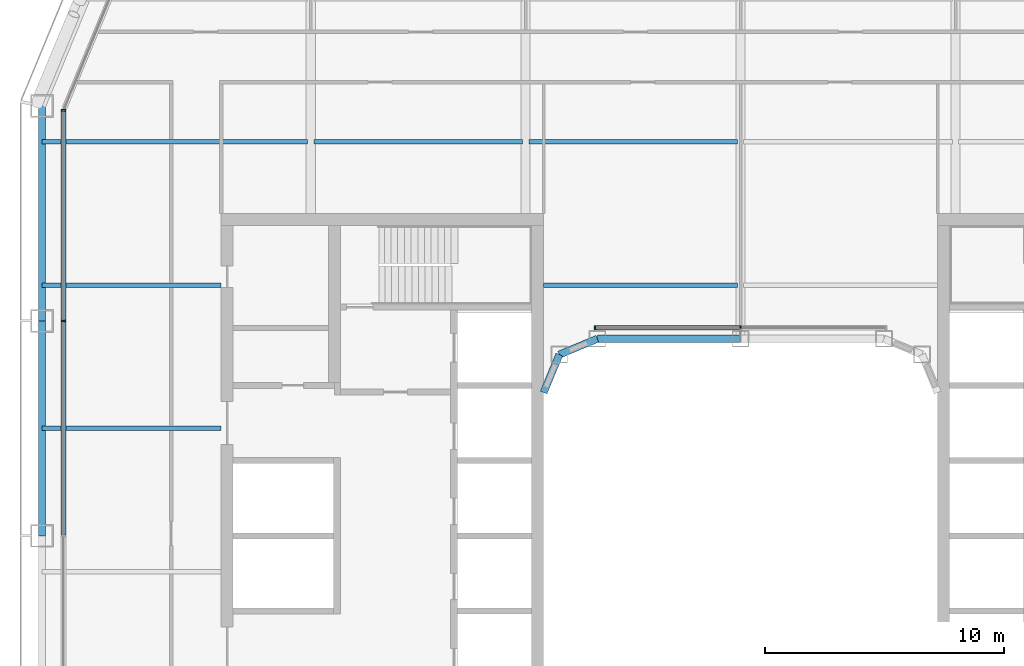
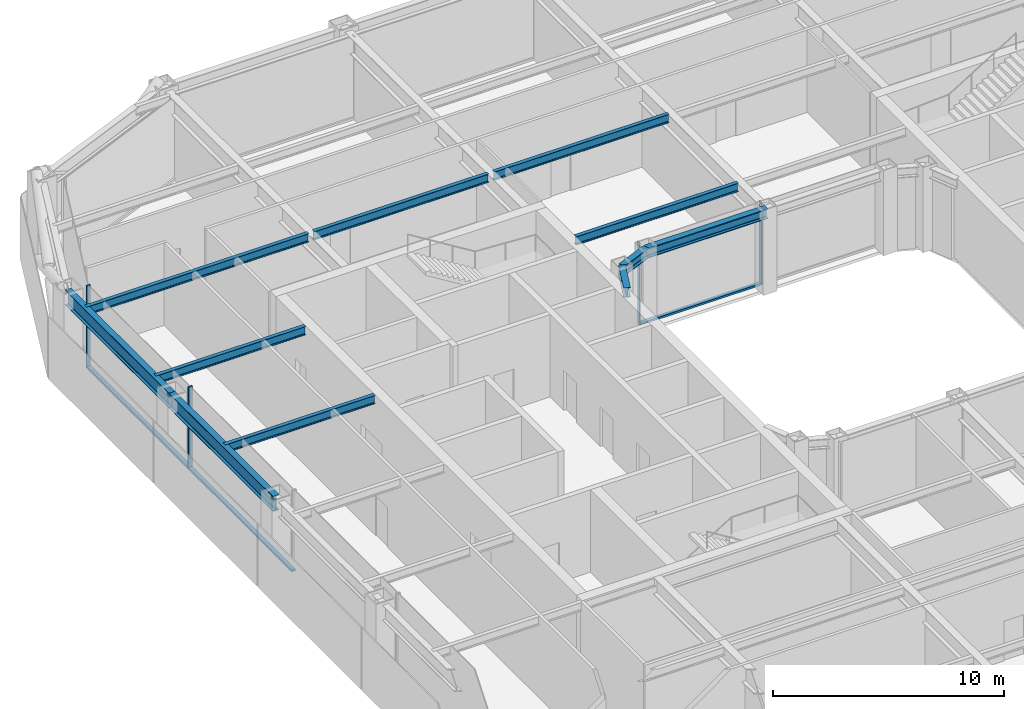
# One storey, part 6 of 21: 11 beams, 7 members, 2 elements without a shape of their own.
"""IFC4 building model written with IfcOpenShell, lengths in metres."""

import ifcopenshell
import ifcopenshell.guid

model = None  # the IFC model being written
_history = None  # IfcOwnerHistory: only IFC2X3 demands one
_inside = {}  # id of a spatial element -> (the spatial element, [elements in it])
_under = {}  # id of a project, library or spatial element -> (it, [spatial elements below it])
_declared = {}  # id of a project -> (the project, [libraries it declares])
_typed = {}  # id of a type object -> (the type object, [elements of that type])
_made_of = {}  # id of a material, layer set ... -> (it, [elements and type objects made of it])


def new_model(schema):
    """Start an empty IFC model of exactly this schema.

    Asked for "IFC4X3", IfcOpenShell would pick the latest addendum, in which some entities
    have other attributes; the version numbers below select the first issue.
    IFC2X3 requires an IfcOwnerHistory on every rooted entity: one is made here for all.
    """
    global model, _history
    if schema == "IFC4X3":
        model = ifcopenshell.file(schema_version=(4, 3, 0, 0))
    else:
        model = ifcopenshell.file(schema=schema)
    _inside.clear()
    _under.clear()
    _declared.clear()
    _typed.clear()
    _made_of.clear()
    _history = None
    if model.schema == "IFC2X3":
        org = make("IfcOrganization", Name="unknown")
        user = make(
            "IfcPersonAndOrganization",
            ThePerson=make("IfcPerson", FamilyName="unknown"),
            TheOrganization=org,
        )
        app = make(
            "IfcApplication",
            ApplicationDeveloper=org,
            Version="unknown",
            ApplicationFullName="unknown",
            ApplicationIdentifier="unknown",
        )
        _history = make(
            "IfcOwnerHistory",
            OwningUser=user,
            OwningApplication=app,
            ChangeAction="ADDED",
            CreationDate=0,
        )
    return model


def make(cls, **values):
    """One entity of the class cls with the attributes given. An attribute that is None is left unset."""
    return model.create_entity(
        cls, **{name: value for name, value in values.items() if value is not None}
    )


def rooted(cls, **values):
    """An entity with a GlobalId (a new one), such as an element, a storey or a relation."""
    return make(cls, GlobalId=ifcopenshell.guid.new(), OwnerHistory=_history, **values)


def si_unit(unit_type, name, prefix=None):
    """IfcSIUnit, for example si_unit("LENGTHUNIT", "METRE", prefix="MILLI")."""
    return make("IfcSIUnit", UnitType=unit_type, Prefix=prefix, Name=name)


def assignment(units):
    """IfcUnitAssignment: the units of a project."""
    return None if units is None else make("IfcUnitAssignment", Units=units)


def point(xyz):
    """IfcCartesianPoint."""
    return None if xyz is None else make("IfcCartesianPoint", Coordinates=xyz)


def direction(xyz):
    """IfcDirection."""
    return None if xyz is None else make("IfcDirection", DirectionRatios=xyz)


def frame(location, z_axis=None, x_axis=None):
    """IfcAxis2Placement3D, a coordinate frame: its origin and axes. An axis left out is left unset."""
    return make(
        "IfcAxis2Placement3D",
        Location=point(location),
        Axis=direction(z_axis),
        RefDirection=direction(x_axis),
    )


def frame_2d(location, x_axis=None):
    """IfcAxis2Placement2D, a coordinate frame in the plane: its origin and x axis."""
    return make(
        "IfcAxis2Placement2D", Location=point(location), RefDirection=direction(x_axis)
    )


def origin():
    """The frame at (0, 0, 0) with its axes left unset."""
    return frame((0.0, 0.0, 0.0))


def origin_2d():
    """The frame at (0, 0) in the plane with its x axis left unset."""
    return frame_2d((0.0, 0.0))


def place(relative_to, where):
    """IfcLocalPlacement: puts the frame where relative to a parent placement (None: the world)."""
    return make(
        "IfcLocalPlacement", PlacementRelTo=relative_to, RelativePlacement=where
    )


def context(
    kind, dimensions, precision=None, world=None, true_north=None, identifier=None
):
    """IfcGeometricRepresentationContext, for example the 3D "Model" context."""
    return make(
        "IfcGeometricRepresentationContext",
        ContextIdentifier=identifier,
        ContextType=kind,
        CoordinateSpaceDimension=dimensions,
        Precision=precision,
        WorldCoordinateSystem=world,
        TrueNorth=true_north,
    )


def subcontext(parent, identifier, kind, view, scale=None):
    """IfcGeometricRepresentationSubContext, for example "Body" below "Model"."""
    return make(
        "IfcGeometricRepresentationSubContext",
        ContextIdentifier=identifier,
        ContextType=kind,
        ParentContext=parent,
        TargetScale=scale,
        TargetView=view,
    )


def project(units=None, contexts=None):
    """IfcProject with its units and contexts."""
    return rooted(
        "IfcProject",
        Name="project",
        RepresentationContexts=contexts,
        UnitsInContext=assignment(units),
    )


def spatial(cls, under=None, at=None, **own):
    """A site, building, storey or space (cls), placed at a placement, below another one or the project."""
    s = rooted(cls, ObjectPlacement=at, **own)
    if under is not None:
        _under.setdefault(under.id(), (under, []))[1].append(s)
    return s


def profile(cls, at=None, kind="AREA", **sizes):
    """A parametric profile (cls). Its sizes go by their IFC names, for example OverallWidth=200.0."""
    return make(cls, ProfileType=kind, Position=at, **sizes)


def rectangle(**sizes):
    """IfcRectangleProfileDef."""
    return profile("IfcRectangleProfileDef", **sizes)


def i_section(**sizes):
    """IfcIShapeProfileDef."""
    return profile("IfcIShapeProfileDef", **sizes)


def extrude(swept, where, along, depth):
    """IfcExtrudedAreaSolid: the profile swept, set in the frame where, extruded along a direction by depth."""
    return make(
        "IfcExtrudedAreaSolid",
        SweptArea=swept,
        Position=where,
        ExtrudedDirection=direction(along),
        Depth=depth,
    )


def shape(context_of_items, identifier, shape_type, items):
    """IfcShapeRepresentation: the items that make up one representation, for example the "Body"."""
    return make(
        "IfcShapeRepresentation",
        ContextOfItems=context_of_items,
        RepresentationIdentifier=identifier,
        RepresentationType=shape_type,
        Items=items,
    )


def material(Name=None, Category=None):
    """IfcMaterial."""
    return make("IfcMaterial", Name=Name, Category=Category)


def layer(
    of_material, thickness, ventilated=None, Name=None, Category=None, Priority=None
):
    """IfcMaterialLayer: one layer of a wall or slab, of a material (None: an air gap)."""
    return make(
        "IfcMaterialLayer",
        Material=of_material,
        LayerThickness=thickness,
        IsVentilated=ventilated,
        Name=Name,
        Category=Category,
        Priority=Priority,
    )


def layer_set(layers, Name=None):
    """IfcMaterialLayerSet."""
    return make("IfcMaterialLayerSet", MaterialLayers=layers, LayerSetName=Name)


def material_profile(
    of_material, cross_section, Name=None, Category=None, Priority=None
):
    """IfcMaterialProfile: a cross section and its material."""
    return make(
        "IfcMaterialProfile",
        Name=Name,
        Material=of_material,
        Profile=cross_section,
        Priority=Priority,
        Category=Category,
    )


def profile_set(profiles, Name=None, composite=None):
    """IfcMaterialProfileSet."""
    return make(
        "IfcMaterialProfileSet",
        Name=Name,
        MaterialProfiles=profiles,
        CompositeProfile=composite,
    )


def made_of(thing, what):
    """Note that an element or type object is made of a material, layer set ...; save() writes the relation."""
    if what is not None:
        _made_of.setdefault(what.id(), (what, []))[1].append(thing)
    return thing


def type_object(cls, material=None, **own):
    """A type object (cls), such as IfcWallType, which elements share."""
    return made_of(rooted(cls, **own), material)


def element(
    cls,
    number,
    at=None,
    inside=None,
    cuts=None,
    type_object=None,
    material=None,
    context=None,
    identifier="Body",
    shape_type=None,
    held_by="IfcProductDefinitionShape",
    body=None,
    shapes=None,
    **own,
):
    """One element of the class cls, such as IfcWall. Its Tag is "e" and its number.

    at: its placement. inside: the storey or other place that contains it. cuts: it is an
    opening in that element (IfcRelVoidsElement). A single representation is given by context,
    identifier, shape_type and body (its items); several are given by shapes. held_by: the class
    of the entity that holds the representations. save() writes the other relations.
    """
    e = rooted(cls, Tag="e%d" % number, ObjectPlacement=at, **own)
    if body is not None:
        shapes = [shape(context, identifier, shape_type, body)]
    if shapes is not None:
        e.Representation = make(held_by, Representations=shapes)
    if inside is not None:
        _inside.setdefault(inside.id(), (inside, []))[1].append(e)
    if cuts is not None:
        rooted(
            "IfcRelVoidsElement", RelatingBuildingElement=cuts, RelatedOpeningElement=e
        )
    if type_object is not None:
        _typed.setdefault(type_object.id(), (type_object, []))[1].append(e)
    return made_of(e, material)


def aggregate(whole, parts):
    """IfcRelAggregates: a whole, such as a stair, and the parts it consists of."""
    return rooted("IfcRelAggregates", RelatingObject=whole, RelatedObjects=parts)


def save(model, path):
    """Write the relations noted so far, then the file.

    IfcRelAggregates (storeys below a building ...), IfcRelContainedInSpatialStructure (elements
    in a storey), IfcRelDefinesByType, IfcRelAssociatesMaterial and IfcRelDeclares: one each for
    every whole, place, type object, material and project.
    """
    for whole, parts in _under.values():
        aggregate(whole, parts)
    for where, things in _inside.values():
        rooted(
            "IfcRelContainedInSpatialStructure",
            RelatedElements=things,
            RelatingStructure=where,
        )
    for kind, things in _typed.values():
        rooted("IfcRelDefinesByType", RelatedObjects=things, RelatingType=kind)
    for what, things in _made_of.values():
        rooted("IfcRelAssociatesMaterial", RelatedObjects=things, RelatingMaterial=what)
    for by, libraries in _declared.values():
        rooted("IfcRelDeclares", RelatingContext=by, RelatedDefinitions=libraries)
    model.write(path)


model = new_model("IFC4")

# Units and contexts
model_context = context("Model", 3, precision=1e-05, world=origin(), true_north=direction((0.0, 1.0)))
body_context = subcontext(model_context, "Body", "Model", "MODEL_VIEW")
ifc_project = project(units=[si_unit("LENGTHUNIT", "METRE"), si_unit("AREAUNIT", "SQUARE_METRE"), si_unit("VOLUMEUNIT", "CUBIC_METRE"), si_unit("PLANEANGLEUNIT", "RADIAN"), si_unit("MASSUNIT", "GRAM", prefix="KILO")], contexts=[model_context])

# Site, building, storey
site_placement = place(None, origin())
site = spatial("IfcSite", under=ifc_project, at=site_placement, CompositionType="ELEMENT")
building_placement = place(site_placement, origin())
building = spatial("IfcBuilding", under=site, at=building_placement, Name="Siwar Civic Tower", CompositionType="ELEMENT")
storey_placement = place(building_placement, frame((0.0, 0.0, 140.699951171875)))
storey = spatial("IfcBuildingStorey", under=building, at=storey_placement, Name="L30", CompositionType="ELEMENT", Elevation=140.699951171875)

# Curtain wall, members
ifc_material_1 = material(Name="Aluminium and glass", Category="aluminium")
ifc_layer_1 = layer(ifc_material_1, 0.199951171875)
ifc_layer_set_1 = layer_set([ifc_layer_1], Name="Aluminium and glass")
curtain_wall_type_1 = type_object("IfcCurtainWallType", Name="ENV-CW-B", PredefinedType="NOTDEFINED", material=ifc_layer_set_1)
curtain_wall_1_placement = place(storey_placement, origin())
curtain_wall_1 = element("IfcCurtainWall", 1, at=curtain_wall_1_placement, inside=storey, type_object=curtain_wall_type_1, Name="Curtain wall B W", PredefinedType="NOTDEFINED")
ifc_material_2 = material(Name="Aluminium 6063-T6", Category="aluminium")
ifc_material_profile_1 = material_profile(ifc_material_2, rectangle(XDim=0.199951171875, YDim=0.06494140625, at=origin_2d()), Name="AL 200x65")
ifc_profile_set_1 = profile_set([ifc_material_profile_1], Name="Aluminium 6063-T6")
member_type_1 = type_object("IfcMemberType", Name="ENV-MULLION-B", PredefinedType="MULLION", material=ifc_profile_set_1)
member_1_placement = place(storey_placement, frame((-28.35009765625, 17.821044921875, 0.0), z_axis=(0.0, 0.0, 1.0), x_axis=(1.0, 0.0, 0.0)))
member_1 = element("IfcMember", 2, at=member_1_placement, type_object=member_type_1, Name="Mullion B W 1", PredefinedType="MULLION", context=body_context, shape_type="SweptSolid", body=[
    extrude(rectangle(XDim=0.199951171875, YDim=0.06494140625, at=origin_2d()), origin(), (0.0, 0.0, 1.0), 4.35009765625),
])
member_2_placement = place(storey_placement, frame((-28.35009765625, 9.0, 0.0), z_axis=(0.0, 0.0, 1.0), x_axis=(1.0, 0.0, 0.0)))
member_2 = element("IfcMember", 3, at=member_2_placement, type_object=member_type_1, Name="Mullion B W 2", PredefinedType="MULLION", context=body_context, shape_type="SweptSolid", body=[
    extrude(rectangle(XDim=0.199951171875, YDim=0.06494140625, at=origin_2d()), origin(), (0.0, 0.0, 1.0), 4.35009765625),
])

ifc_material_3 = material(Name="Aluminium and glass", Category="aluminium")
ifc_layer_2 = layer(ifc_material_3, 0.179931640625)
ifc_layer_set_2 = layer_set([ifc_layer_2], Name="Aluminium and glass")
curtain_wall_type_2 = type_object("IfcCurtainWallType", Name="ENV-CW-W", PredefinedType="NOTDEFINED", material=ifc_layer_set_2)
curtain_wall_2_placement = place(storey_placement, origin())
curtain_wall_2 = element("IfcCurtainWall", 4, at=curtain_wall_2_placement, inside=storey, type_object=curtain_wall_type_2, Name="Curtain wall W WN", PredefinedType="NOTDEFINED")
ifc_material_4 = material(Name="Aluminium 6063-T6", Category="aluminium")
ifc_material_profile_2 = material_profile(ifc_material_4, rectangle(XDim=0.179931640625, YDim=0.06005859375, at=origin_2d()), Name="AL 180x60")
ifc_profile_set_2 = profile_set([ifc_material_profile_2], Name="Aluminium 6063-T6")
member_type_2 = type_object("IfcMemberType", Name="ENV-MULLION-W", PredefinedType="MULLION", material=ifc_profile_set_2)
member_3_placement = place(storey_placement, frame((0.0, 8.7099609375, 0.0), z_axis=(0.0, 0.0, 1.0), x_axis=(0.0, -1.0, 0.0)))
member_3 = element("IfcMember", 5, at=member_3_placement, type_object=member_type_2, Name="Mullion W WN 2", PredefinedType="MULLION", context=body_context, shape_type="SweptSolid", body=[
    extrude(rectangle(XDim=0.179931640625, YDim=0.06005859375, at=origin_2d()), origin(), (0.0, 0.0, 1.0), 4.35009765625),
])
member_4_placement = place(storey_placement, frame((-6.091552734375, 8.7099609375, 0.0), z_axis=(0.0, 0.0, 1.0), x_axis=(0.0, -1.0, 0.0)))
member_4 = element("IfcMember", 6, at=member_4_placement, type_object=member_type_2, Name="Mullion W WN 3", PredefinedType="MULLION", context=body_context, shape_type="SweptSolid", body=[
    extrude(rectangle(XDim=0.179931640625, YDim=0.06005859375, at=origin_2d()), origin(), (0.0, 0.0, 1.0), 4.35009765625),
])

# Member
ifc_material_5 = material(Name="Aluminium 6063-T6", Category="aluminium")
ifc_material_profile_3 = material_profile(ifc_material_5, rectangle(XDim=0.199951171875, YDim=0.110107421875, at=origin_2d()), Name="AL 200x110")
ifc_profile_set_3 = profile_set([ifc_material_profile_3], Name="Aluminium 6063-T6")
member_type_3 = type_object("IfcMemberType", Name="ENV-TRANSOM-B", PredefinedType="USERDEFINED", material=ifc_profile_set_3)
member_5_placement = place(storey_placement, frame((-28.35009765625, 17.78857421875, 0.054931640625), z_axis=(0.0, -1.0, 0.0), x_axis=(1.0, 0.0, 0.0)))
member_5 = element("IfcMember", 7, at=member_5_placement, type_object=member_type_3, Name="Transom B W 1", ObjectType="TRANSOM", PredefinedType="USERDEFINED", context=body_context, shape_type="SweptSolid", body=[
    extrude(rectangle(XDim=0.199951171875, YDim=0.110107421875, at=origin_2d()), origin(), (0.0, 0.0, 1.0), 8.756103515625),
])

member_6_placement = place(storey_placement, frame((-28.35009765625, 8.967529296875, 0.054931640625), z_axis=(0.0, -1.0, 0.0), x_axis=(1.0, 0.0, 0.0)))
member_6 = element("IfcMember", 8, at=member_6_placement, type_object=member_type_3, Name="Transom B W 2", ObjectType="TRANSOM", PredefinedType="USERDEFINED", context=body_context, shape_type="SweptSolid", body=[
    extrude(rectangle(XDim=0.199951171875, YDim=0.110107421875, at=origin_2d()), origin(), (0.0, 0.0, 1.0), 8.93505859375),
])

aggregate(curtain_wall_1, [member_1, member_2, member_5, member_6])

ifc_material_6 = material(Name="Aluminium 6063-T6", Category="aluminium")
ifc_material_profile_4 = material_profile(ifc_material_6, rectangle(XDim=0.179931640625, YDim=0.10009765625, at=origin_2d()), Name="AL 180x100")
ifc_profile_set_4 = profile_set([ifc_material_profile_4], Name="Aluminium 6063-T6")
member_type_4 = type_object("IfcMemberType", Name="ENV-TRANSOM-W", PredefinedType="USERDEFINED", material=ifc_profile_set_4)
member_7_placement = place(storey_placement, frame((-0.030029296875, 8.7099609375, 0.050048828125), z_axis=(-1.0, 0.0, 0.0), x_axis=(0.0, -1.0, 0.0)))
member_7 = element("IfcMember", 9, at=member_7_placement, type_object=member_type_4, Name="Transom W WN 2", ObjectType="TRANSOM", PredefinedType="USERDEFINED", context=body_context, shape_type="SweptSolid", body=[
    extrude(rectangle(XDim=0.179931640625, YDim=0.10009765625, at=origin_2d()), origin(), (0.0, 0.0, 1.0), 6.031494140625),
])

aggregate(curtain_wall_2, [member_3, member_4, member_7])

# Beams
ifc_material_7 = material(Name="Steel S355", Category="steel")
ifc_material_profile_5 = material_profile(ifc_material_7, i_section(OverallWidth=0.18994140625, OverallDepth=0.449951171875, WebThickness=0.009521484375, FlangeThickness=0.0146484375, FilletRadius=0.02099609375, at=origin_2d()), Name="IPE450")
ifc_profile_set_5 = profile_set([ifc_material_profile_5], Name="Steel S355")
beam_type_1 = type_object("IfcBeamType", Name="STR-FB-IPE450", PredefinedType="JOIST", material=ifc_profile_set_5)
for number, where, z_axis, x_axis, name in (
    (10, (-29.25, 4.5, 4.125), (1.0, 0.0, 0.0), (0.0, 1.0, 0.0), "L30/bm/F025"),
    (11, (-29.25, 10.5, 4.125), (1.0, 0.0, 0.0), (0.0, 1.0, 0.0), "L30/bm/F027"),
):
    element("IfcBeam", number, at=place(storey_placement, frame(where, z_axis=z_axis, x_axis=x_axis)), inside=storey, type_object=beam_type_1, Name=name, PredefinedType="JOIST", context=body_context, shape_type="SweptSolid", body=[
        extrude(i_section(OverallWidth=0.18994140625, OverallDepth=0.449951171875, WebThickness=0.009521484375, FlangeThickness=0.0146484375, FilletRadius=0.02099609375, at=origin_2d()), origin(), (0.0, 0.0, 1.0), 7.5),
    ])
beam_1_placement = place(storey_placement, frame((-8.25, 10.5, 4.125), z_axis=(1.0, 0.0, 0.0), x_axis=(0.0, 1.0, 0.0)))
element("IfcBeam", 12, at=beam_1_placement, inside=storey, type_object=beam_type_1, Name="L30/bm/F028", PredefinedType="JOIST", context=body_context, shape_type="SweptSolid", body=[
    extrude(i_section(OverallWidth=0.18994140625, OverallDepth=0.449951171875, WebThickness=0.009521484375, FlangeThickness=0.0146484375, FilletRadius=0.02099609375, at=origin_2d()), origin(), (0.0, 0.0, 1.0), 8.1201171875),
])
beam_2_placement = place(storey_placement, frame((-29.25, 16.5, 4.125), z_axis=(1.0, 0.0, 0.0), x_axis=(0.0, 1.0, 0.0)))
element("IfcBeam", 13, at=beam_2_placement, inside=storey, type_object=beam_type_1, Name="L30/bm/F031", PredefinedType="JOIST", context=body_context, shape_type="SweptSolid", body=[
    extrude(i_section(OverallWidth=0.18994140625, OverallDepth=0.449951171875, WebThickness=0.009521484375, FlangeThickness=0.0146484375, FilletRadius=0.02099609375, at=origin_2d()), origin(), (0.0, 0.0, 1.0), 11.1201171875),
])
for number, where, z_axis, x_axis, name in (
    (14, (-17.8701171875, 16.5, 4.125), (1.0, 0.0, 0.0), (0.0, 1.0, 0.0), "L30/bm/F032"),
    (15, (-8.8701171875, 16.5, 4.125), (1.0, 0.0, 0.0), (0.0, 1.0, 0.0), "L30/bm/F033"),
):
    element("IfcBeam", number, at=place(storey_placement, frame(where, z_axis=z_axis, x_axis=x_axis)), inside=storey, type_object=beam_type_1, Name=name, PredefinedType="JOIST", context=body_context, shape_type="SweptSolid", body=[
        extrude(i_section(OverallWidth=0.18994140625, OverallDepth=0.449951171875, WebThickness=0.009521484375, FlangeThickness=0.0146484375, FilletRadius=0.02099609375, at=origin_2d()), origin(), (0.0, 0.0, 1.0), 8.740234375),
    ])
ifc_material_8 = material(Name="Steel S355", Category="steel")
ifc_material_profile_6 = material_profile(ifc_material_8, i_section(OverallWidth=0.305908203125, OverallDepth=0.52392578125, WebThickness=0.02099609375, FlangeThickness=0.0400390625, FilletRadius=0.027099609375, at=origin_2d()), Name="HEM500")
ifc_profile_set_6 = profile_set([ifc_material_profile_6], Name="Steel S355")
beam_type_2 = type_object("IfcBeamType", Name="STR-RB-HEM500", PredefinedType="BEAM", material=ifc_profile_set_6)
beam_3_placement = place(storey_placement, frame((-7.591064453125, 7.591064453125, 4.088134765625), z_axis=(0.923901072997, 0.382631424892, 0.0), x_axis=(-0.382631424892, 0.923901072997, 0.0)))
element("IfcBeam", 16, at=beam_3_placement, inside=storey, type_object=beam_type_2, Name="L30/bm/RN0", PredefinedType="BEAM", context=body_context, shape_type="SweptSolid", body=[
    extrude(i_section(OverallWidth=0.305908203125, OverallDepth=0.52392578125, WebThickness=0.02099609375, FlangeThickness=0.0400390625, FilletRadius=0.027099609375, at=origin_2d()), origin(), (0.0, 0.0, 1.0), 1.72216796875),
])
beam_4_placement = place(storey_placement, frame((-6.0, 8.25, 4.088134765625), z_axis=(1.0, 0.0, 0.0), x_axis=(0.0, 1.0, 0.0)))
element("IfcBeam", 17, at=beam_4_placement, inside=storey, type_object=beam_type_2, Name="L30/bm/RN1", PredefinedType="BEAM", context=body_context, shape_type="SweptSolid", body=[
    extrude(i_section(OverallWidth=0.305908203125, OverallDepth=0.52392578125, WebThickness=0.02099609375, FlangeThickness=0.0400390625, FilletRadius=0.027099609375, at=origin_2d()), origin(), (0.0, 0.0, 1.0), 6.0),
])
beam_5_placement = place(storey_placement, frame((-7.591064453125, 7.591064453125, 4.088134765625), z_axis=(-0.382631424892, -0.923901072997, 0.0), x_axis=(0.923901072997, -0.382631424892, 0.0)))
element("IfcBeam", 18, at=beam_5_placement, inside=storey, type_object=beam_type_2, Name="L30/bm/RNEW", PredefinedType="BEAM", context=body_context, shape_type="SweptSolid", body=[
    extrude(i_section(OverallWidth=0.305908203125, OverallDepth=0.52392578125, WebThickness=0.02099609375, FlangeThickness=0.0400390625, FilletRadius=0.027099609375, at=origin_2d()), origin(), (0.0, 0.0, 1.0), 1.72216796875),
])
ifc_material_9 = material(Name="Steel S355", Category="steel")
ifc_material_profile_7 = material_profile(ifc_material_9, i_section(OverallWidth=0.300048828125, OverallDepth=0.800048828125, WebThickness=0.017578125, FlangeThickness=0.032958984375, FilletRadius=0.030029296875, at=origin_2d()), Name="HEB800")
ifc_profile_set_7 = profile_set([ifc_material_profile_7], Name="Steel S355")
beam_type_3 = type_object("IfcBeamType", Name="STR-SB-HEB800", PredefinedType="BEAM", material=ifc_profile_set_7)
for number, where, z_axis, x_axis, name in (
    (19, (-29.25, 18.0, 3.949951171875), (0.0, -1.0, 0.0), (1.0, 0.0, 0.0), "L30/bm/SW-0"),
    (20, (-29.25, 9.0, 3.949951171875), (0.0, -1.0, 0.0), (1.0, 0.0, 0.0), "L30/bm/SW-1"),
):
    element("IfcBeam", number, at=place(storey_placement, frame(where, z_axis=z_axis, x_axis=x_axis)), inside=storey, type_object=beam_type_3, Name=name, PredefinedType="BEAM", context=body_context, shape_type="SweptSolid", body=[
        extrude(i_section(OverallWidth=0.300048828125, OverallDepth=0.800048828125, WebThickness=0.017578125, FlangeThickness=0.032958984375, FilletRadius=0.030029296875, at=origin_2d()), origin(), (0.0, 0.0, 1.0), 9.0),
    ])

save(model, "model.ifc")
